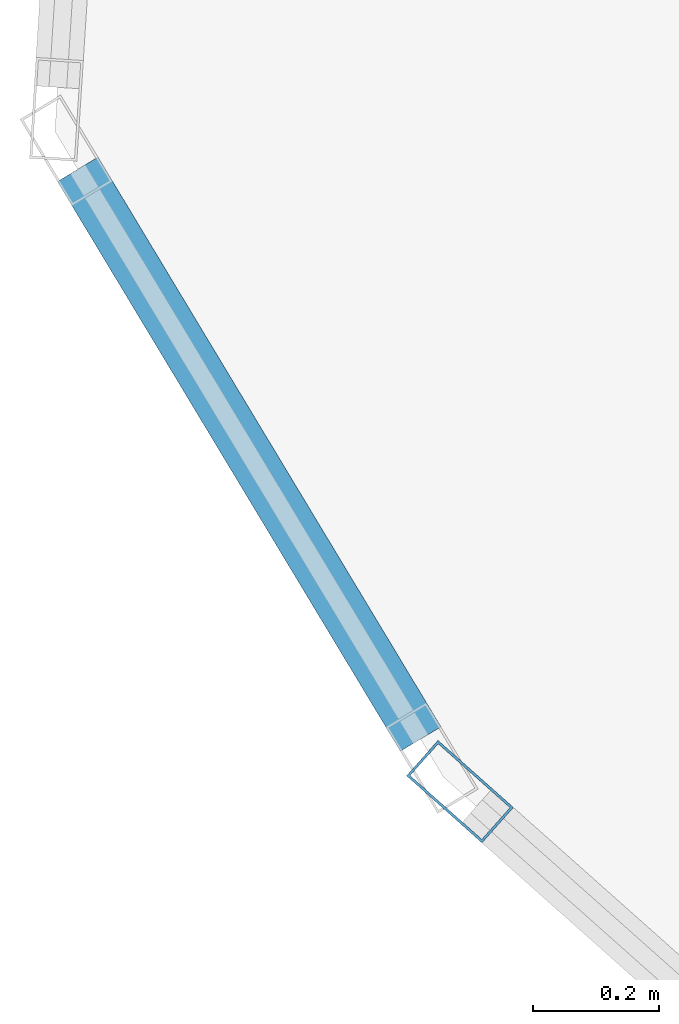
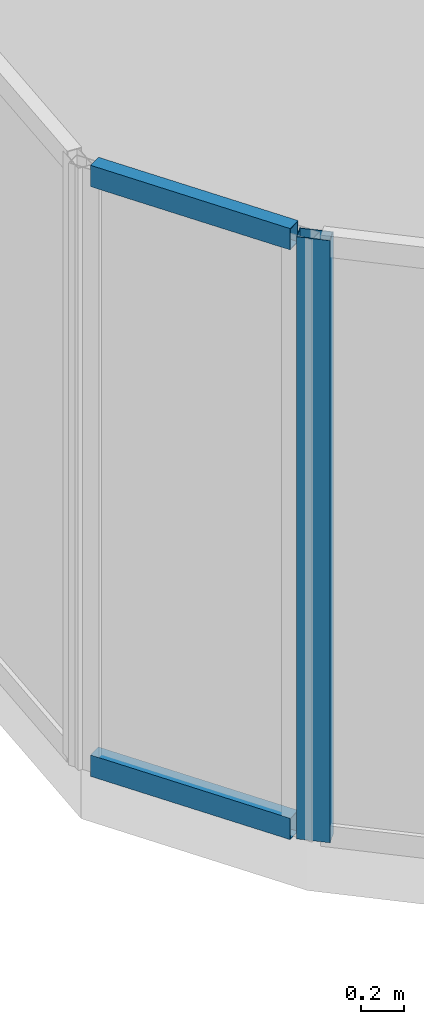
# One storey, part 4 of 27: 3 members, 2 elements without a shape of their own.
"""IFC4 building model written with IfcOpenShell, lengths in metres."""

from ifc_helpers import new_model, si_unit, direction, frame, origin, origin_2d, place, context, subcontext, project, spatial, hollow_rectangle, extrude, material, layer, layer_set, material_profile, profile_set, type_object, element, aggregate, save


model = new_model("IFC4")

# Units and contexts
model_context = context("Model", 3, precision=1e-05, world=origin(), true_north=direction((0.0, 1.0)))
body_context = subcontext(model_context, "Body", "Model", "MODEL_VIEW")
ifc_project = project(units=[si_unit("LENGTHUNIT", "METRE"), si_unit("AREAUNIT", "SQUARE_METRE"), si_unit("VOLUMEUNIT", "CUBIC_METRE"), si_unit("PLANEANGLEUNIT", "RADIAN"), si_unit("MASSUNIT", "GRAM", prefix="KILO")], contexts=[model_context])

# Site, building, storey
site_placement = place(None, origin())
site = spatial("IfcSite", under=ifc_project, at=site_placement, CompositionType="ELEMENT")
building_placement = place(site_placement, origin())
building = spatial("IfcBuilding", under=site, at=building_placement, Name="Keshet Zoharim Tower", CompositionType="ELEMENT")
storey_placement = place(building_placement, frame((0.0, 0.0, 284.300048828125)))
storey = spatial("IfcBuildingStorey", under=building, at=storey_placement, Name="L71", CompositionType="ELEMENT", Elevation=284.300048828125)

# Curtain wall, member
ifc_material = material(Name="Aluminium 6063-T6", Category="aluminium")
ifc_layer = layer(ifc_material, 0.260009765625)
ifc_layer_set = layer_set([ifc_layer], Name="Aluminium 6063-T6")
curtain_wall_type = type_object("IfcCurtainWallType", Name="CW-SYS-06", PredefinedType="NOTDEFINED", material=ifc_layer_set)
curtain_wall_1_placement = place(storey_placement, origin())
curtain_wall_1 = element("IfcCurtainWall", 1, at=curtain_wall_1_placement, inside=storey, type_object=curtain_wall_type, Name="L71 Unitised Curtain Wall 16 Part 3", PredefinedType="NOTDEFINED")
ifc_material_profile_1 = material_profile(ifc_material, hollow_rectangle(XDim=0.074951171875, YDim=0.159912109375, WallThickness=0.00390625, at=origin_2d()), Name="MUL-75x160")
ifc_profile_set_1 = profile_set([ifc_material_profile_1], Name="Aluminium 6063-T6")
member_type_1 = type_object("IfcMemberType", Name="CWM-M15", PredefinedType="MULLION", material=ifc_profile_set_1)
member_1_placement = place(storey_placement, frame((4.061279296875, 21.7568359375, 0.0), z_axis=(0.0, 0.0, 1.0), x_axis=(-0.664363838836, -0.747409318679, 0.0)))
member_1 = element("IfcMember", 2, at=member_1_placement, type_object=member_type_1, Name="CW-06 mullion 2", PredefinedType="MULLION", context=body_context, shape_type="SweptSolid", body=[
    extrude(hollow_rectangle(XDim=0.074951171875, YDim=0.159912109375, WallThickness=0.00390625, at=origin_2d()), origin(), (0.0, 0.0, 1.0), 3.389892578125),
])
aggregate(curtain_wall_1, [member_1])

# Curtain wall, members
curtain_wall_2_placement = place(storey_placement, origin())
curtain_wall_2 = element("IfcCurtainWall", 3, at=curtain_wall_2_placement, inside=storey, type_object=curtain_wall_type, Name="L71 Unitised Curtain Wall 01", PredefinedType="NOTDEFINED")
ifc_material_profile_2 = material_profile(ifc_material, hollow_rectangle(XDim=0.074951171875, YDim=0.1201171875, WallThickness=0.00390625, at=origin_2d()), Name="TRN-75x120")
ifc_profile_set_2 = profile_set([ifc_material_profile_2], Name="Aluminium 6063-T6")
member_type_2 = type_object("IfcMemberType", Name="CWT-T12", PredefinedType="USERDEFINED", material=ifc_profile_set_2)
member_2_placement = place(storey_placement, frame((3.9990234375, 21.840087890625, 0.034912109375), z_axis=(-0.515791194107, 0.856714330499, 0.0), x_axis=(-0.856714330499, -0.515791194107, 0.0)))
member_2 = element("IfcMember", 4, at=member_2_placement, type_object=member_type_2, Name="CW-06 transom 1.1", ObjectType="TRANSOM", PredefinedType="USERDEFINED", context=body_context, shape_type="SweptSolid", body=[
    extrude(hollow_rectangle(XDim=0.074951171875, YDim=0.1201171875, WallThickness=0.00390625, at=origin_2d()), origin(), (0.0, 0.0, 1.0), 1.052734375),
])
member_3_placement = place(storey_placement, frame((3.9990234375, 21.840087890625, 3.35498046875), z_axis=(-0.515791194107, 0.856714330499, 0.0), x_axis=(-0.856714330499, -0.515791194107, 0.0)))
member_3 = element("IfcMember", 5, at=member_3_placement, type_object=member_type_2, Name="CW-06 transom 1.2", ObjectType="TRANSOM", PredefinedType="USERDEFINED", context=body_context, shape_type="SweptSolid", body=[
    extrude(hollow_rectangle(XDim=0.074951171875, YDim=0.1201171875, WallThickness=0.00390625, at=origin_2d()), origin(), (0.0, 0.0, 1.0), 1.052734375),
])
aggregate(curtain_wall_2, [member_2, member_3])

save(model, "model.ifc")
